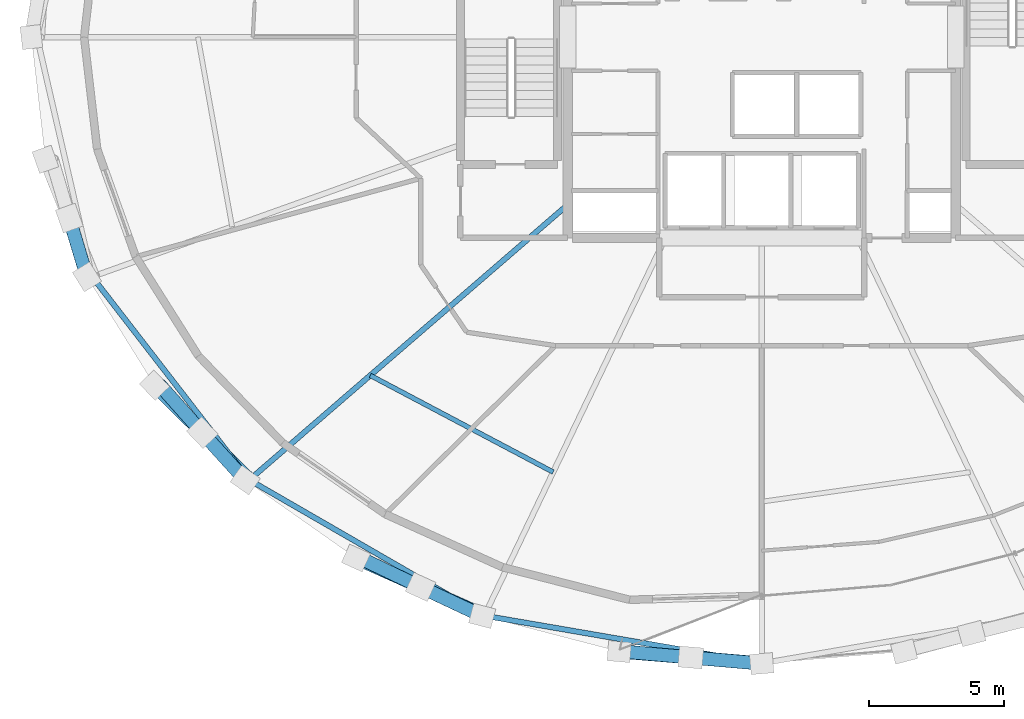
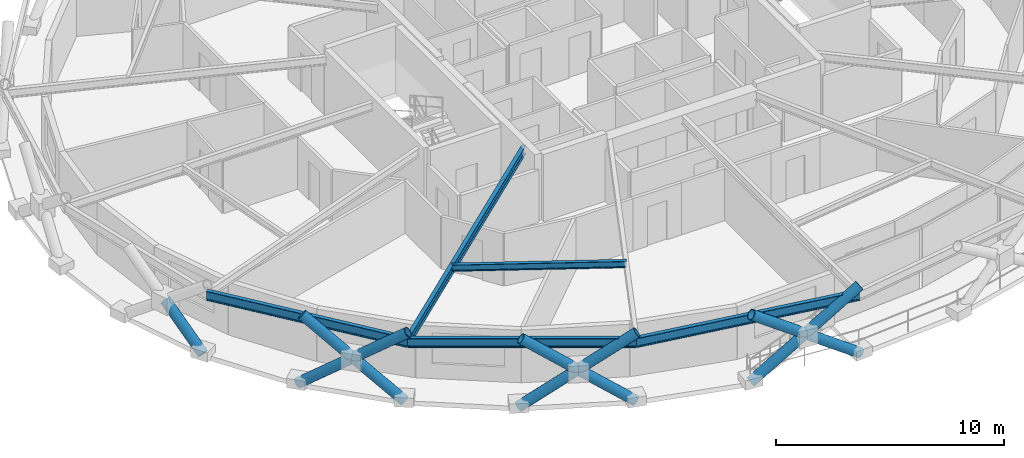
# One storey, part 1 of 16: 10 members, 5 beams.
"""IFC4 building model written with IfcOpenShell, lengths in metres."""

import ifcopenshell
import ifcopenshell.guid

model = None  # the IFC model being written
_history = None  # IfcOwnerHistory: only IFC2X3 demands one
_inside = {}  # id of a spatial element -> (the spatial element, [elements in it])
_under = {}  # id of a project, library or spatial element -> (it, [spatial elements below it])
_declared = {}  # id of a project -> (the project, [libraries it declares])
_typed = {}  # id of a type object -> (the type object, [elements of that type])
_made_of = {}  # id of a material, layer set ... -> (it, [elements and type objects made of it])


def new_model(schema):
    """Start an empty IFC model of exactly this schema.

    Asked for "IFC4X3", IfcOpenShell would pick the latest addendum, in which some entities
    have other attributes; the version numbers below select the first issue.
    IFC2X3 requires an IfcOwnerHistory on every rooted entity: one is made here for all.
    """
    global model, _history
    if schema == "IFC4X3":
        model = ifcopenshell.file(schema_version=(4, 3, 0, 0))
    else:
        model = ifcopenshell.file(schema=schema)
    _inside.clear()
    _under.clear()
    _declared.clear()
    _typed.clear()
    _made_of.clear()
    _history = None
    if model.schema == "IFC2X3":
        org = make("IfcOrganization", Name="unknown")
        user = make(
            "IfcPersonAndOrganization",
            ThePerson=make("IfcPerson", FamilyName="unknown"),
            TheOrganization=org,
        )
        app = make(
            "IfcApplication",
            ApplicationDeveloper=org,
            Version="unknown",
            ApplicationFullName="unknown",
            ApplicationIdentifier="unknown",
        )
        _history = make(
            "IfcOwnerHistory",
            OwningUser=user,
            OwningApplication=app,
            ChangeAction="ADDED",
            CreationDate=0,
        )
    return model


def make(cls, **values):
    """One entity of the class cls with the attributes given. An attribute that is None is left unset."""
    return model.create_entity(
        cls, **{name: value for name, value in values.items() if value is not None}
    )


def rooted(cls, **values):
    """An entity with a GlobalId (a new one), such as an element, a storey or a relation."""
    return make(cls, GlobalId=ifcopenshell.guid.new(), OwnerHistory=_history, **values)


def si_unit(unit_type, name, prefix=None):
    """IfcSIUnit, for example si_unit("LENGTHUNIT", "METRE", prefix="MILLI")."""
    return make("IfcSIUnit", UnitType=unit_type, Prefix=prefix, Name=name)


def assignment(units):
    """IfcUnitAssignment: the units of a project."""
    return None if units is None else make("IfcUnitAssignment", Units=units)


def point(xyz):
    """IfcCartesianPoint."""
    return None if xyz is None else make("IfcCartesianPoint", Coordinates=xyz)


def direction(xyz):
    """IfcDirection."""
    return None if xyz is None else make("IfcDirection", DirectionRatios=xyz)


def frame(location, z_axis=None, x_axis=None):
    """IfcAxis2Placement3D, a coordinate frame: its origin and axes. An axis left out is left unset."""
    return make(
        "IfcAxis2Placement3D",
        Location=point(location),
        Axis=direction(z_axis),
        RefDirection=direction(x_axis),
    )


def frame_2d(location, x_axis=None):
    """IfcAxis2Placement2D, a coordinate frame in the plane: its origin and x axis."""
    return make(
        "IfcAxis2Placement2D", Location=point(location), RefDirection=direction(x_axis)
    )


def origin():
    """The frame at (0, 0, 0) with its axes left unset."""
    return frame((0.0, 0.0, 0.0))


def origin_2d():
    """The frame at (0, 0) in the plane with its x axis left unset."""
    return frame_2d((0.0, 0.0))


def place(relative_to, where):
    """IfcLocalPlacement: puts the frame where relative to a parent placement (None: the world)."""
    return make(
        "IfcLocalPlacement", PlacementRelTo=relative_to, RelativePlacement=where
    )


def context(
    kind, dimensions, precision=None, world=None, true_north=None, identifier=None
):
    """IfcGeometricRepresentationContext, for example the 3D "Model" context."""
    return make(
        "IfcGeometricRepresentationContext",
        ContextIdentifier=identifier,
        ContextType=kind,
        CoordinateSpaceDimension=dimensions,
        Precision=precision,
        WorldCoordinateSystem=world,
        TrueNorth=true_north,
    )


def subcontext(parent, identifier, kind, view, scale=None):
    """IfcGeometricRepresentationSubContext, for example "Body" below "Model"."""
    return make(
        "IfcGeometricRepresentationSubContext",
        ContextIdentifier=identifier,
        ContextType=kind,
        ParentContext=parent,
        TargetScale=scale,
        TargetView=view,
    )


def project(units=None, contexts=None):
    """IfcProject with its units and contexts."""
    return rooted(
        "IfcProject",
        Name="project",
        RepresentationContexts=contexts,
        UnitsInContext=assignment(units),
    )


def spatial(cls, under=None, at=None, **own):
    """A site, building, storey or space (cls), placed at a placement, below another one or the project."""
    s = rooted(cls, ObjectPlacement=at, **own)
    if under is not None:
        _under.setdefault(under.id(), (under, []))[1].append(s)
    return s


def profile(cls, at=None, kind="AREA", **sizes):
    """A parametric profile (cls). Its sizes go by their IFC names, for example OverallWidth=200.0."""
    return make(cls, ProfileType=kind, Position=at, **sizes)


def hollow_circle(**sizes):
    """IfcCircleHollowProfileDef."""
    return profile("IfcCircleHollowProfileDef", **sizes)


def i_section(**sizes):
    """IfcIShapeProfileDef."""
    return profile("IfcIShapeProfileDef", **sizes)


def extrude(swept, where, along, depth):
    """IfcExtrudedAreaSolid: the profile swept, set in the frame where, extruded along a direction by depth."""
    return make(
        "IfcExtrudedAreaSolid",
        SweptArea=swept,
        Position=where,
        ExtrudedDirection=direction(along),
        Depth=depth,
    )


def shape(context_of_items, identifier, shape_type, items):
    """IfcShapeRepresentation: the items that make up one representation, for example the "Body"."""
    return make(
        "IfcShapeRepresentation",
        ContextOfItems=context_of_items,
        RepresentationIdentifier=identifier,
        RepresentationType=shape_type,
        Items=items,
    )


def material(Name=None, Category=None):
    """IfcMaterial."""
    return make("IfcMaterial", Name=Name, Category=Category)


def material_profile(
    of_material, cross_section, Name=None, Category=None, Priority=None
):
    """IfcMaterialProfile: a cross section and its material."""
    return make(
        "IfcMaterialProfile",
        Name=Name,
        Material=of_material,
        Profile=cross_section,
        Priority=Priority,
        Category=Category,
    )


def profile_set(profiles, Name=None, composite=None):
    """IfcMaterialProfileSet."""
    return make(
        "IfcMaterialProfileSet",
        Name=Name,
        MaterialProfiles=profiles,
        CompositeProfile=composite,
    )


def made_of(thing, what):
    """Note that an element or type object is made of a material, layer set ...; save() writes the relation."""
    if what is not None:
        _made_of.setdefault(what.id(), (what, []))[1].append(thing)
    return thing


def type_object(cls, material=None, **own):
    """A type object (cls), such as IfcWallType, which elements share."""
    return made_of(rooted(cls, **own), material)


def element(
    cls,
    number,
    at=None,
    inside=None,
    cuts=None,
    type_object=None,
    material=None,
    context=None,
    identifier="Body",
    shape_type=None,
    held_by="IfcProductDefinitionShape",
    body=None,
    shapes=None,
    **own,
):
    """One element of the class cls, such as IfcWall. Its Tag is "e" and its number.

    at: its placement. inside: the storey or other place that contains it. cuts: it is an
    opening in that element (IfcRelVoidsElement). A single representation is given by context,
    identifier, shape_type and body (its items); several are given by shapes. held_by: the class
    of the entity that holds the representations. save() writes the other relations.
    """
    e = rooted(cls, Tag="e%d" % number, ObjectPlacement=at, **own)
    if body is not None:
        shapes = [shape(context, identifier, shape_type, body)]
    if shapes is not None:
        e.Representation = make(held_by, Representations=shapes)
    if inside is not None:
        _inside.setdefault(inside.id(), (inside, []))[1].append(e)
    if cuts is not None:
        rooted(
            "IfcRelVoidsElement", RelatingBuildingElement=cuts, RelatedOpeningElement=e
        )
    if type_object is not None:
        _typed.setdefault(type_object.id(), (type_object, []))[1].append(e)
    return made_of(e, material)


def aggregate(whole, parts):
    """IfcRelAggregates: a whole, such as a stair, and the parts it consists of."""
    return rooted("IfcRelAggregates", RelatingObject=whole, RelatedObjects=parts)


def save(model, path):
    """Write the relations noted so far, then the file.

    IfcRelAggregates (storeys below a building ...), IfcRelContainedInSpatialStructure (elements
    in a storey), IfcRelDefinesByType, IfcRelAssociatesMaterial and IfcRelDeclares: one each for
    every whole, place, type object, material and project.
    """
    for whole, parts in _under.values():
        aggregate(whole, parts)
    for where, things in _inside.values():
        rooted(
            "IfcRelContainedInSpatialStructure",
            RelatedElements=things,
            RelatingStructure=where,
        )
    for kind, things in _typed.values():
        rooted("IfcRelDefinesByType", RelatedObjects=things, RelatingType=kind)
    for what, things in _made_of.values():
        rooted("IfcRelAssociatesMaterial", RelatedObjects=things, RelatingMaterial=what)
    for by, libraries in _declared.values():
        rooted("IfcRelDeclares", RelatingContext=by, RelatedDefinitions=libraries)
    model.write(path)


model = new_model("IFC4")

# Units and contexts
model_context = context("Model", 3, precision=1e-05, world=origin(), true_north=direction((0.0, 1.0)))
body_context = subcontext(model_context, "Body", "Model", "MODEL_VIEW")
ifc_project = project(units=[si_unit("LENGTHUNIT", "METRE"), si_unit("AREAUNIT", "SQUARE_METRE"), si_unit("VOLUMEUNIT", "CUBIC_METRE"), si_unit("PLANEANGLEUNIT", "RADIAN"), si_unit("MASSUNIT", "GRAM", prefix="KILO")], contexts=[model_context])

# Site, building, storey
site_placement = place(None, origin())
site = spatial("IfcSite", under=ifc_project, at=site_placement, CompositionType="ELEMENT")
building_placement = place(site_placement, origin())
building = spatial("IfcBuilding", under=site, at=building_placement, Name="Veldorina Hangang Commons", CompositionType="ELEMENT")
storey_placement = place(building_placement, frame((0.0, 0.0, 189.199951171875)))
storey = spatial("IfcBuildingStorey", under=building, at=storey_placement, Name="L49", CompositionType="ELEMENT", Elevation=189.199951171875)

# Beams
ifc_material_1 = material(Name="Steel SM355-TMC", Category="steel")
ifc_material_profile_1 = material_profile(ifc_material_1, i_section(OverallWidth=0.199951171875, OverallDepth=0.449951171875, WebThickness=0.009033203125, FlangeThickness=0.013916015625, FilletRadius=0.01611328125, at=origin_2d()), Name="H-450x200x9x14")
ifc_profile_set_1 = profile_set([ifc_material_profile_1], Name="Steel SM355-TMC")
beam_type_1 = type_object("IfcBeamType", Name="BM-FG450", PredefinedType="BEAM", material=ifc_profile_set_1)
beam_1_placement = place(storey_placement, frame((24.800048828125, 17.778076171875, 3.125), z_axis=(-0.756619810777, -0.65385507717, 0.0), x_axis=(0.65385507717, -0.756619810777, 0.0)))
element("IfcBeam", 1, at=beam_1_placement, inside=storey, type_object=beam_type_1, Name="L49 radial floor girder 11", PredefinedType="BEAM", context=body_context, shape_type="SweptSolid", body=[
    extrude(i_section(OverallWidth=0.199951171875, OverallDepth=0.449951171875, WebThickness=0.009033203125, FlangeThickness=0.013916015625, FilletRadius=0.01611328125, at=origin_2d()), origin(), (0.0, 0.0, 1.0), 15.617919921875),
])
ifc_material_profile_2 = material_profile(ifc_material_1, i_section(OverallWidth=0.175048828125, OverallDepth=0.35009765625, WebThickness=0.007080078125, FlangeThickness=0.010986328125, FilletRadius=0.012939453125, at=origin_2d()), Name="H-350x175x7x11")
ifc_profile_set_2 = profile_set([ifc_material_profile_2], Name="Steel SM355-TMC")
beam_type_2 = type_object("IfcBeamType", Name="BM-JST350", PredefinedType="JOIST", material=ifc_profile_set_2)
beam_2_placement = place(storey_placement, frame((17.473388671875, 11.446533203125, 3.175048828125), z_axis=(0.884002796641, -0.467481609832, 0.0), x_axis=(0.467481609832, 0.884002796641, 0.0)))
element("IfcBeam", 2, at=beam_2_placement, inside=storey, type_object=beam_type_2, Name="L49 secondary floor joist 11", PredefinedType="JOIST", context=body_context, shape_type="SweptSolid", body=[
    extrude(i_section(OverallWidth=0.175048828125, OverallDepth=0.35009765625, WebThickness=0.007080078125, FlangeThickness=0.010986328125, FilletRadius=0.012939453125, at=origin_2d()), origin(), (0.0, 0.0, 1.0), 7.6796875),
])
ifc_material_2 = material(Name="Steel SM420-TMC", Category="steel")
ifc_material_profile_3 = material_profile(ifc_material_2, i_section(OverallWidth=0.199951171875, OverallDepth=0.5, WebThickness=0.010009765625, FlangeThickness=0.01611328125, FilletRadius=0.01611328125, at=origin_2d()), Name="H-500x200x10x16")
ifc_profile_set_3 = profile_set([ifc_material_profile_3], Name="Steel SM420-TMC")
beam_type_3 = type_object("IfcBeamType", Name="BM-RB500", PredefinedType="BEAM", material=ifc_profile_set_3)
beam_3_placement = place(storey_placement, frame((7.1533203125, 15.10595703125, 3.10009765625), z_axis=(0.61168587168, -0.791100748569, 0.0), x_axis=(0.791100748569, 0.61168587168, 0.0)))
element("IfcBeam", 3, at=beam_3_placement, inside=storey, type_object=beam_type_3, Name="L49 perimeter hoop ring beam 18", PredefinedType="BEAM", context=body_context, shape_type="SweptSolid", body=[
    extrude(i_section(OverallWidth=0.199951171875, OverallDepth=0.5, WebThickness=0.010009765625, FlangeThickness=0.01611328125, FilletRadius=0.01611328125, at=origin_2d()), origin(), (0.0, 0.0, 1.0), 9.53076171875),
])
beam_4_placement = place(storey_placement, frame((12.983154296875, 7.566162109375, 3.10009765625), z_axis=(0.865991473684, -0.500058764053, 0.0), x_axis=(0.500058764053, 0.865991473684, 0.0)))
element("IfcBeam", 4, at=beam_4_placement, inside=storey, type_object=beam_type_3, Name="L49 perimeter hoop ring beam 20", PredefinedType="BEAM", context=body_context, shape_type="SweptSolid", body=[
    extrude(i_section(OverallWidth=0.199951171875, OverallDepth=0.5, WebThickness=0.010009765625, FlangeThickness=0.01611328125, FilletRadius=0.01611328125, at=origin_2d()), origin(), (0.0, 0.0, 1.0), 10.074951171875),
])
beam_5_placement = place(storey_placement, frame((21.7080078125, 2.528076171875, 3.10009765625), z_axis=(0.985543279827, -0.169423857788, 0.0), x_axis=(0.169423857788, 0.985543279827, 0.0)))
element("IfcBeam", 5, at=beam_5_placement, inside=storey, type_object=beam_type_3, Name="L49 perimeter hoop ring beam 22", PredefinedType="BEAM", context=body_context, shape_type="SweptSolid", body=[
    extrude(i_section(OverallWidth=0.199951171875, OverallDepth=0.5, WebThickness=0.010009765625, FlangeThickness=0.01611328125, FilletRadius=0.01611328125, at=origin_2d()), origin(), (0.0, 0.0, 1.0), 10.44287109375),
])

# Members
ifc_material_profile_4 = material_profile(ifc_material_2, hollow_circle(Radius=0.25, WallThickness=0.02490234375, at=origin_2d()), Name="CHS-500x25")
ifc_profile_set_4 = profile_set([ifc_material_profile_4], Name="Steel SM420-TMC")
member_type = type_object("IfcMemberType", Name="DG-CHS500", PredefinedType="BRACE", material=ifc_profile_set_4)
member_1_placement = place(storey_placement, frame((6.958984375, 15.10205078125, 0.0), z_axis=(-0.226438836192, 0.751097787754, 0.620143182414), x_axis=(-0.957436150347, -0.288645142014, 0.0)))
element("IfcMember", 6, at=member_1_placement, inside=storey, type_object=member_type, Name="L49 split perimeter diagrid lower brace 18", PredefinedType="BRACE", context=body_context, shape_type="SweptSolid", body=[
    extrude(hollow_circle(Radius=0.25, WallThickness=0.02490234375, at=origin_2d()), origin(), (0.0, 0.0, 1.0), 2.904541015625),
])
member_2_placement = place(storey_placement, frame((9.4638671875, 11.082275390625, 0.0), z_axis=(0.575774313963, -0.571172245444, 0.585018124006), x_axis=(0.704263879636, 0.709938298615, 0.0)))
element("IfcMember", 7, at=member_2_placement, inside=storey, type_object=member_type, Name="L49 continuous perimeter diagrid brace 19", PredefinedType="BRACE", context=body_context, shape_type="SweptSolid", body=[
    extrude(hollow_circle(Radius=0.25, WallThickness=0.02490234375, at=origin_2d()), origin(), (0.0, 0.0, 1.0), 6.15380859375),
])
member_3_placement = place(storey_placement, frame((12.83447265625, 7.55859375, 0.0), z_axis=(-0.534502086193, 0.590545853075, 0.604618156584), x_axis=(-0.741411660676, -0.671050482016, 0.0)))
element("IfcMember", 8, at=member_3_placement, inside=storey, type_object=member_type, Name="L49 split perimeter diagrid lower brace 20", PredefinedType="BRACE", context=body_context, shape_type="SweptSolid", body=[
    extrude(hollow_circle(Radius=0.25, WallThickness=0.02490234375, at=origin_2d()), origin(), (0.0, 0.0, 1.0), 2.984130859375),
])
member_4_placement = place(storey_placement, frame((11.239501953125, 9.32080078125, 1.80419921875), z_axis=(-0.529427798158, 0.595174808175, 0.604543757102), x_axis=(-0.74717019632, -0.664632754031, 0.0)))
element("IfcMember", 9, at=member_4_placement, inside=storey, type_object=member_type, Name="L49 split perimeter diagrid upper brace 20", PredefinedType="BRACE", context=body_context, shape_type="SweptSolid", body=[
    extrude(hollow_circle(Radius=0.25, WallThickness=0.02490234375, at=origin_2d()), origin(), (0.0, 0.0, 1.0), 2.970703125),
])
member_5_placement = place(storey_placement, frame((16.94189453125, 4.6669921875, 0.0), z_axis=(0.752192204928, -0.336403900396, 0.566603302711), x_axis=(0.408261761367, 0.912864904685, 0.0)))
element("IfcMember", 10, at=member_5_placement, inside=storey, type_object=member_type, Name="L49 continuous perimeter diagrid brace 21", PredefinedType="BRACE", context=body_context, shape_type="SweptSolid", body=[
    extrude(hollow_circle(Radius=0.25, WallThickness=0.02490234375, at=origin_2d()), origin(), (0.0, 0.0, 1.0), 6.353759765625),
])
member_6_placement = place(storey_placement, frame((21.627685546875, 2.518310546875, 0.0), z_axis=(-0.736119851785, 0.346293785954, 0.581556684785), x_axis=(-0.425680739384, -0.904873421047, 0.0)))
element("IfcMember", 11, at=member_6_placement, inside=storey, type_object=member_type, Name="L49 split perimeter diagrid lower brace 22", PredefinedType="BRACE", context=body_context, shape_type="SweptSolid", body=[
    extrude(hollow_circle(Radius=0.25, WallThickness=0.02490234375, at=origin_2d()), origin(), (0.0, 0.0, 1.0), 3.10693359375),
])
member_7_placement = place(storey_placement, frame((19.340576171875, 3.59423828125, 1.806884765625), z_axis=(-0.733887963239, 0.351110368605, 0.581489437971), x_axis=(-0.431576009866, -0.902076575302, 0.0)))
element("IfcMember", 12, at=member_7_placement, inside=storey, type_object=member_type, Name="L49 split perimeter diagrid upper brace 22", PredefinedType="BRACE", context=body_context, shape_type="SweptSolid", body=[
    extrude(hollow_circle(Radius=0.25, WallThickness=0.02490234375, at=origin_2d()), origin(), (0.0, 0.0, 1.0), 3.083740234375),
])
member_8_placement = place(storey_placement, frame((26.71240234375, 1.1953125, 0.0), z_axis=(0.82469397215, -0.067816971299, 0.561498629298), x_axis=(0.081956255749, 0.99663592758, 0.0)))
element("IfcMember", 13, at=member_8_placement, inside=storey, type_object=member_type, Name="L49 continuous perimeter diagrid brace 23", PredefinedType="BRACE", context=body_context, shape_type="SweptSolid", body=[
    extrude(hollow_circle(Radius=0.25, WallThickness=0.02490234375, at=origin_2d()), origin(), (0.0, 0.0, 1.0), 6.41162109375),
])
member_9_placement = place(storey_placement, frame((32.0, 0.74853515625, 0.0), z_axis=(-0.822151355043, 0.07137869106, 0.564776267086), x_axis=(-0.086494037362, -0.996252368379, 0.0)))
element("IfcMember", 14, at=member_9_placement, inside=storey, type_object=member_type, Name="L49 split perimeter diagrid lower brace 24", PredefinedType="BRACE", context=body_context, shape_type="SweptSolid", body=[
    extrude(hollow_circle(Radius=0.25, WallThickness=0.02490234375, at=origin_2d()), origin(), (0.0, 0.0, 1.0), 3.201416015625),
])
member_10_placement = place(storey_placement, frame((29.367919921875, 0.97705078125, 1.80810546875), z_axis=(-0.822013179201, 0.072489834751, 0.564835867379), x_axis=(-0.087844822071, -0.996134171302, 0.0)))
element("IfcMember", 15, at=member_10_placement, inside=storey, type_object=member_type, Name="L49 split perimeter diagrid upper brace 24", PredefinedType="BRACE", context=body_context, shape_type="SweptSolid", body=[
    extrude(hollow_circle(Radius=0.25, WallThickness=0.02490234375, at=origin_2d()), origin(), (0.0, 0.0, 1.0), 3.172607421875),
])

save(model, "model.ifc")
